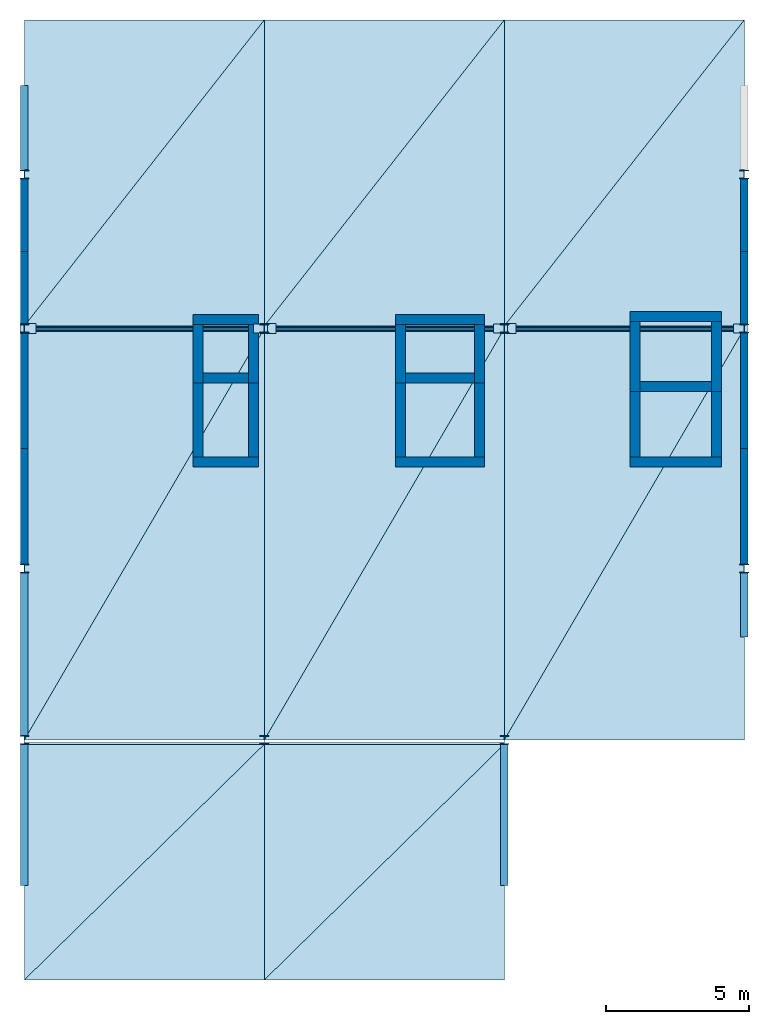
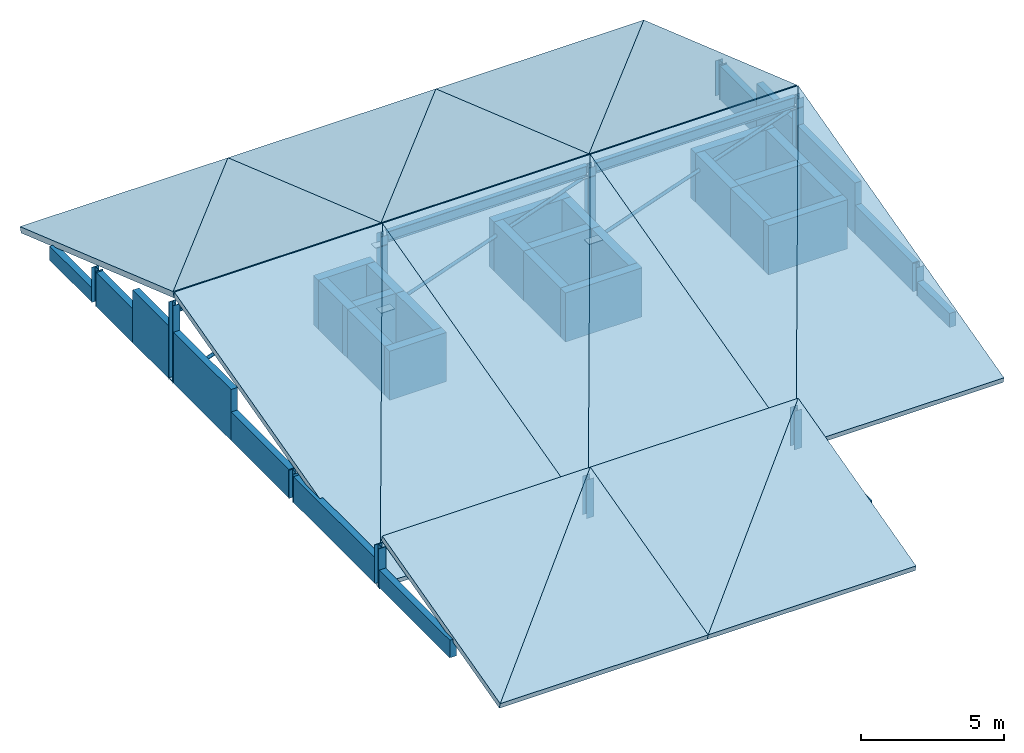
# One storey, part 1 of 2: 34 walls, 16 slabs, 11 columns, 6 plates, 3 beams, 3 members.
"""IFC4 building model written with IfcOpenShell, lengths in metres."""

from ifc_helpers import new_model, si_unit, direction, frame, frame_2d, origin, origin_2d, place, context, subcontext, project, spatial, polyline, rectangle, hollow_circle, i_section, outline, extrude, material, layer, layer_set, material_profile, profile_set, type_object, element, save


model = new_model("IFC4")

# Units and contexts
model_context = context("Model", 3, precision=1e-05, world=origin(), true_north=direction((0.0, 1.0)))
body_context = subcontext(model_context, "Body", "Model", "MODEL_VIEW")
ifc_project = project(units=[si_unit("LENGTHUNIT", "METRE"), si_unit("AREAUNIT", "SQUARE_METRE"), si_unit("VOLUMEUNIT", "CUBIC_METRE"), si_unit("PLANEANGLEUNIT", "RADIAN"), si_unit("MASSUNIT", "GRAM", prefix="KILO")], contexts=[model_context])

# Site, building, storey
site_placement = place(None, origin())
site = spatial("IfcSite", under=ifc_project, at=site_placement, CompositionType="ELEMENT")
building_placement = place(site_placement, origin())
building = spatial("IfcBuilding", under=site, at=building_placement, Name="Krzemoval Escarpment Law Courts", CompositionType="ELEMENT")
storey_placement = place(building_placement, frame((0.0, 0.0, 45.89990234375)))
storey = spatial("IfcBuildingStorey", under=building, at=storey_placement, Name="RF", CompositionType="ELEMENT", Elevation=45.89990234375)

# Columns
ifc_material_1 = material(Name="Steel S355", Category="steel")
ifc_material_profile_1 = material_profile(ifc_material_1, i_section(OverallWidth=0.300048828125, OverallDepth=0.300048828125, WebThickness=0.010986328125, FlangeThickness=0.01904296875, at=origin_2d()), Name="HEB 300")
ifc_profile_set_1 = profile_set([ifc_material_profile_1], Name="Steel S355")
column_type = type_object("IfcColumnType", Name="COL-S355-HEB300", PredefinedType="COLUMN", material=ifc_profile_set_1)
for number, where, z_axis, x_axis, name in (
    (1, (126.0, 93.60009765625, 0.0), (0.0, 0.0, 1.0), (1.0, 0.0, 0.0), "Lantern Mullion Column CRN-COL-1260-936"),
    (2, (134.39990234375, 93.60009765625, 0.0), (0.0, 0.0, 1.0), (1.0, 0.0, 0.0), "Lantern Mullion Column CRN-COL-1344-936"),
    (3, (142.800048828125, 93.60009765625, 0.0), (0.0, 0.0, 1.0), (1.0, 0.0, 0.0), "Lantern Mullion Column CRN-COL-1428-936"),
):
    element("IfcColumn", number, at=place(storey_placement, frame(where, z_axis=z_axis, x_axis=x_axis)), inside=storey, type_object=column_type, Name=name, PredefinedType="COLUMN", context=body_context, shape_type="SweptSolid", body=[
        extrude(i_section(OverallWidth=0.300048828125, OverallDepth=0.300048828125, WebThickness=0.010986328125, FlangeThickness=0.01904296875, at=origin_2d()), origin(), (0.0, 0.0, 1.0), 1.650146484375),
    ])
for number, where, z_axis, x_axis, name in (
    (4, (126.0, 99.60009765625, 0.0), (0.0, 0.0, 1.0), (1.0, 0.0, 0.0), "Lantern Mullion Column CRN-COL-1260-996"),
    (5, (151.199951171875, 99.60009765625, 0.0), (0.0, 0.0, 1.0), (1.0, 0.0, 0.0), "Lantern Mullion Column CRN-COL-1512-996"),
):
    element("IfcColumn", number, at=place(storey_placement, frame(where, z_axis=z_axis, x_axis=x_axis)), inside=storey, type_object=column_type, Name=name, PredefinedType="COLUMN", context=body_context, shape_type="SweptSolid", body=[
        extrude(i_section(OverallWidth=0.300048828125, OverallDepth=0.300048828125, WebThickness=0.010986328125, FlangeThickness=0.01904296875, at=origin_2d()), origin(), (0.0, 0.0, 1.0), 1.2001953125),
    ])
for number, where, z_axis, x_axis, name in (
    (6, (126.0, 108.0, 0.0), (0.0, 0.0, 1.0), (1.0, 0.0, 0.0), "Lantern Mullion Column CRN-COL-1260-1080"),
    (7, (134.39990234375, 108.0, 0.0), (0.0, 0.0, 1.0), (1.0, 0.0, 0.0), "Lantern Mullion Column CRN-COL-1344-1080"),
    (8, (142.800048828125, 108.0, 0.0), (0.0, 0.0, 1.0), (1.0, 0.0, 0.0), "Lantern Mullion Column CRN-COL-1428-1080"),
    (9, (151.199951171875, 108.0, 0.0), (0.0, 0.0, 1.0), (1.0, 0.0, 0.0), "Lantern Mullion Column CRN-COL-1512-1080"),
):
    element("IfcColumn", number, at=place(storey_placement, frame(where, z_axis=z_axis, x_axis=x_axis)), inside=storey, type_object=column_type, Name=name, PredefinedType="COLUMN", context=body_context, shape_type="SweptSolid", body=[
        extrude(i_section(OverallWidth=0.300048828125, OverallDepth=0.300048828125, WebThickness=0.010986328125, FlangeThickness=0.01904296875, at=origin_2d()), origin(), (0.0, 0.0, 1.0), 3.300048828125),
    ])
for number, where, z_axis, x_axis, name in (
    (10, (126.0, 113.39990234375, 0.0), (0.0, 0.0, 1.0), (1.0, 0.0, 0.0), "Lantern Mullion Column CRN-COL-1260-1134"),
    (11, (151.199951171875, 113.39990234375, 0.0), (0.0, 0.0, 1.0), (1.0, 0.0, 0.0), "Lantern Mullion Column CRN-COL-1512-1134"),
):
    element("IfcColumn", number, at=place(storey_placement, frame(where, z_axis=z_axis, x_axis=x_axis)), inside=storey, type_object=column_type, Name=name, PredefinedType="COLUMN", context=body_context, shape_type="SweptSolid", body=[
        extrude(i_section(OverallWidth=0.300048828125, OverallDepth=0.300048828125, WebThickness=0.010986328125, FlangeThickness=0.01904296875, at=origin_2d()), origin(), (0.0, 0.0, 1.0), 1.5),
    ])

# Beams
ifc_material_2 = material(Name="Steel S355", Category="steel")
ifc_material_profile_2 = material_profile(ifc_material_2, i_section(OverallWidth=0.18994140625, OverallDepth=0.449951171875, WebThickness=0.009521484375, FlangeThickness=0.0146484375, at=origin_2d()), Name="IPE 450")
ifc_profile_set_2 = profile_set([ifc_material_profile_2], Name="Steel S355")
beam_type = type_object("IfcBeamType", Name="BM-S355-IPE450", PredefinedType="BEAM", material=ifc_profile_set_2)
beam_1_placement = place(storey_placement, frame((126.14990234375, 108.0, 3.150146484375), z_axis=(1.0, 0.0, 0.0), x_axis=(0.0, 1.0, 0.0)))
element("IfcBeam", 12, at=beam_1_placement, inside=storey, type_object=beam_type, Name="Crown Ridge Beam RBRF-01", PredefinedType="BEAM", context=body_context, shape_type="SweptSolid", body=[
    extrude(i_section(OverallWidth=0.18994140625, OverallDepth=0.449951171875, WebThickness=0.009521484375, FlangeThickness=0.0146484375, at=origin_2d()), origin(), (0.0, 0.0, 1.0), 8.10009765625),
])
beam_2_placement = place(storey_placement, frame((134.550048828125, 108.0, 3.150146484375), z_axis=(1.0, 0.0, 0.0), x_axis=(0.0, 1.0, 0.0)))
element("IfcBeam", 13, at=beam_2_placement, inside=storey, type_object=beam_type, Name="Crown Ridge Beam RBRF-02", PredefinedType="BEAM", context=body_context, shape_type="SweptSolid", body=[
    extrude(i_section(OverallWidth=0.18994140625, OverallDepth=0.449951171875, WebThickness=0.009521484375, FlangeThickness=0.0146484375, at=origin_2d()), origin(), (0.0, 0.0, 1.0), 8.099853515625),
])
beam_3_placement = place(storey_placement, frame((142.949951171875, 108.0, 3.150146484375), z_axis=(1.0, 0.0, 0.0), x_axis=(0.0, 1.0, 0.0)))
element("IfcBeam", 14, at=beam_3_placement, inside=storey, type_object=beam_type, Name="Crown Ridge Beam RBRF-03", PredefinedType="BEAM", context=body_context, shape_type="SweptSolid", body=[
    extrude(i_section(OverallWidth=0.18994140625, OverallDepth=0.449951171875, WebThickness=0.009521484375, FlangeThickness=0.0146484375, at=origin_2d()), origin(), (0.0, 0.0, 1.0), 8.10009765625),
])

# Members
ifc_material_3 = material(Name="Steel S355", Category="steel")
ifc_material_profile_3 = material_profile(ifc_material_3, hollow_circle(Radius=0.06982421875, WallThickness=0.008056640625, at=origin_2d()), Name="CHS 139.7x8")
ifc_profile_set_3 = profile_set([ifc_material_profile_3], Name="Steel S355")
member_type = type_object("IfcMemberType", Name="MBR-STR-CHS140", PredefinedType="STRUT", material=ifc_profile_set_3)
member_1_placement = place(storey_placement, frame((126.1298828125, 108.0, 0.050048828125), z_axis=(0.943820396984, 0.0, 0.330458860128), x_axis=(0.0, 1.0, 0.0)))
element("IfcMember", 15, at=member_1_placement, inside=storey, type_object=member_type, Name="Crown Diagonal Brace BR-0258", PredefinedType="STRUT", context=body_context, shape_type="SweptSolid", body=[
    extrude(hollow_circle(Radius=0.06982421875, WallThickness=0.008056640625, at=origin_2d()), origin(), (0.0, 0.0, 1.0), 8.624755859375),
])
member_2_placement = place(storey_placement, frame((134.530029296875, 108.0, 0.050048828125), z_axis=(0.943817305622, 0.0, 0.330467689206), x_axis=(0.0, 1.0, 0.0)))
element("IfcMember", 16, at=member_2_placement, inside=storey, type_object=member_type, Name="Crown Diagonal Brace BR-0259", PredefinedType="STRUT", context=body_context, shape_type="SweptSolid", body=[
    extrude(hollow_circle(Radius=0.06982421875, WallThickness=0.008056640625, at=origin_2d()), origin(), (0.0, 0.0, 1.0), 8.62451171875),
])
member_3_placement = place(storey_placement, frame((142.929931640625, 108.0, 0.050048828125), z_axis=(0.943820396984, 0.0, 0.330458860128), x_axis=(0.0, 1.0, 0.0)))
element("IfcMember", 17, at=member_3_placement, inside=storey, type_object=member_type, Name="Crown Diagonal Brace BR-0260", PredefinedType="STRUT", context=body_context, shape_type="SweptSolid", body=[
    extrude(hollow_circle(Radius=0.06982421875, WallThickness=0.008056640625, at=origin_2d()), origin(), (0.0, 0.0, 1.0), 8.624755859375),
])

# Plates
ifc_material_4 = material(Name="Steel S355", Category="steel")
ifc_layer_1 = layer(ifc_material_4, 0.02001953125)
ifc_layer_set_1 = layer_set([ifc_layer_1], Name="Steel S355")
plate_type_1 = type_object("IfcPlateType", Name="PLT-GUS-20", PredefinedType="USERDEFINED", material=ifc_layer_set_1)
for number, where, z_axis, x_axis, name in (
    (18, (134.27001953125, 108.0, 2.89013671875), (0.0, 0.0, 1.0), (1.0, 0.0, 0.0), "Gusset and End-Cap Plate ECP-0289"),
    (19, (142.669921875, 108.0, 2.89013671875), (0.0, 0.0, 1.0), (1.0, 0.0, 0.0), "Gusset and End-Cap Plate ECP-0291"),
    (20, (151.070068359375, 108.0, 2.89013671875), (0.0, 0.0, 1.0), (1.0, 0.0, 0.0), "Gusset and End-Cap Plate ECP-0293"),
):
    element("IfcPlate", number, at=place(storey_placement, frame(where, z_axis=z_axis, x_axis=x_axis)), inside=storey, type_object=plate_type_1, Name=name, ObjectType="GUSSET_PLATE", PredefinedType="USERDEFINED", context=body_context, shape_type="SweptSolid", body=[
        extrude(rectangle(XDim=0.47998046875, YDim=0.320068359375, at=origin_2d()), origin(), (0.0, 0.0, 1.0), 0.02001953125),
    ])
ifc_material_5 = material(Name="Steel S355", Category="steel")
ifc_layer_2 = layer(ifc_material_5, 0.030029296875)
ifc_layer_set_2 = layer_set([ifc_layer_2], Name="Steel S355")
plate_type_2 = type_object("IfcPlateType", Name="PLT-GUS-30", PredefinedType="USERDEFINED", material=ifc_layer_set_2)
for number, where, z_axis, x_axis, name in (
    (21, (126.1298828125, 108.0, 0.03515625), (0.0, 0.0, 1.0), (1.0, 0.0, 0.0), "Gusset and End-Cap Plate ECP-0288"),
    (22, (134.530029296875, 108.0, 0.03515625), (0.0, 0.0, 1.0), (1.0, 0.0, 0.0), "Gusset and End-Cap Plate ECP-0290"),
    (23, (142.929931640625, 108.0, 0.03515625), (0.0, 0.0, 1.0), (1.0, 0.0, 0.0), "Gusset and End-Cap Plate ECP-0292"),
):
    element("IfcPlate", number, at=place(storey_placement, frame(where, z_axis=z_axis, x_axis=x_axis)), inside=storey, type_object=plate_type_2, Name=name, ObjectType="GUSSET_PLATE", PredefinedType="USERDEFINED", context=body_context, shape_type="SweptSolid", body=[
        extrude(rectangle(XDim=0.56005859375, YDim=0.360107421875, at=origin_2d()), origin(), (0.0, 0.0, 1.0), 0.030029296875),
    ])

# Slabs
ifc_material_6 = material(Name="Concrete C40/50", Category="concrete")
ifc_layer_3 = layer(ifc_material_6, 0.239990234375)
ifc_layer_set_3 = layer_set([ifc_layer_3], Name="Concrete C40/50")
slab_type = type_object("IfcSlabType", Name="SL-ROOF-CRN240", PredefinedType="ROOF", material=ifc_layer_set_3)
slab_1_placement = place(storey_placement, frame((126.0, 93.60009765625, 0.0), z_axis=(0.0, -0.252013119938, 0.967723817718), x_axis=(1.0, 0.0, 0.0)))
element("IfcSlab", 24, at=slab_1_placement, inside=storey, type_object=slab_type, Name="Folded-Plate Roof Facet FPR-V5-RF01SA", PredefinedType="ROOF", context=body_context, shape_type="SweptSolid", body=[
    extrude(outline(polyline([(0.0, 0.0), (8.39990234375, 0.0), (8.39990234375, 14.880177670630708), (0.0, 0.0)])), origin(), (0.0, 0.0, -1.0), 0.239990234375),
])
slab_2_placement = place(storey_placement, frame((126.0, 93.60009765625, 0.0), z_axis=(0.0, -0.252013119938, 0.967723817718), x_axis=(0.491585582833, 0.842722224224, 0.219460400869)))
element("IfcSlab", 25, at=slab_2_placement, inside=storey, type_object=slab_type, Name="Folded-Plate Roof Facet FPR-V5-RF01SB", PredefinedType="ROOF", context=body_context, shape_type="SweptSolid", body=[
    extrude(outline(polyline([(0.0, 0.0), (17.087365124385723, -3.3306690738754696e-16), (12.9580942349938, 7.314880812874342), (0.0, 0.0)])), origin(), (0.0, 0.0, -1.0), 0.239990234375),
])
slab_3_placement = place(storey_placement, frame((126.0, 108.090087890625, 3.718994140625), z_axis=(0.0, 0.328031973915, 0.944666620607), x_axis=(1.0, 0.0, 0.0)))
element("IfcSlab", 26, at=slab_3_placement, inside=storey, type_object=slab_type, Name="Folded-Plate Roof Facet FPR-V5-RF01NA", PredefinedType="ROOF", context=body_context, shape_type="SweptSolid", body=[
    extrude(outline(polyline([(0.0, 0.0), (8.39990234375, 0.0), (8.39990234375, 11.33729159459079), (0.0, 0.0)])), origin(), (0.0, 0.0, -1.0), 0.239990234375),
])
slab_4_placement = place(storey_placement, frame((126.0, 108.090087890625, 3.718994140625), z_axis=(0.0, 0.328031973915, 0.944666620607), x_axis=(0.59531488731, 0.759032537246, -0.263571228227)))
element("IfcSlab", 27, at=slab_4_placement, inside=storey, type_object=slab_type, Name="Folded-Plate Roof Facet FPR-V5-RF01NB", PredefinedType="ROOF", context=body_context, shape_type="SweptSolid", body=[
    extrude(outline(polyline([(0.0, 0.0), (14.110015594793499, 3.3306690738754696e-16), (9.10942867761303, 6.749258468028937), (0.0, 0.0)])), origin(), (0.0, 0.0, -1.0), 0.239990234375),
])
slab_5_placement = place(storey_placement, frame((134.39990234375, 93.60009765625, 0.0), z_axis=(0.0, -0.252013119938, 0.967723817718), x_axis=(1.0, 0.0, 0.0)))
element("IfcSlab", 28, at=slab_5_placement, inside=storey, type_object=slab_type, Name="Folded-Plate Roof Facet FPR-V5-RF02SA", PredefinedType="ROOF", context=body_context, shape_type="SweptSolid", body=[
    extrude(outline(polyline([(0.0, 0.0), (8.400146484375, 0.0), (8.400146484375, 14.88017767063071), (0.0, 0.0)])), origin(), (0.0, 0.0, -1.0), 0.239990234375),
])
slab_6_placement = place(storey_placement, frame((134.39990234375, 93.60009765625, 0.0), z_axis=(0.0, -0.252013119938, 0.967723817718), x_axis=(0.49159641777, 0.842716305198, 0.219458859446)))
element("IfcSlab", 29, at=slab_6_placement, inside=storey, type_object=slab_type, Name="Folded-Plate Roof Facet FPR-V5-RF02SB", PredefinedType="ROOF", context=body_context, shape_type="SweptSolid", body=[
    extrude(outline(polyline([(0.0, 0.0), (17.087485141719785, -5.551115123125783e-17), (12.958003221254112, 7.31504203866969), (0.0, 0.0)])), origin(), (0.0, 0.0, -1.0), 0.239990234375),
])
slab_7_placement = place(storey_placement, frame((134.39990234375, 108.090087890625, 3.718994140625), z_axis=(0.0, 0.328031973915, 0.944666620607), x_axis=(1.0, 0.0, 0.0)))
element("IfcSlab", 30, at=slab_7_placement, inside=storey, type_object=slab_type, Name="Folded-Plate Roof Facet FPR-V5-RF02NA", PredefinedType="ROOF", context=body_context, shape_type="SweptSolid", body=[
    extrude(outline(polyline([(0.0, 0.0), (8.400146484375, 0.0), (8.400146484375, 11.33729159459079), (0.0, 0.0)])), origin(), (0.0, 0.0, -1.0), 0.239990234375),
])
slab_8_placement = place(storey_placement, frame((134.39990234375, 108.090087890625, 3.718994140625), z_axis=(0.0, 0.328031973915, 0.944666620607), x_axis=(0.595326057729, 0.759024718821, -0.263568513308)))
element("IfcSlab", 31, at=slab_8_placement, inside=storey, type_object=slab_type, Name="Folded-Plate Roof Facet FPR-V5-RF02NB", PredefinedType="ROOF", context=body_context, shape_type="SweptSolid", body=[
    extrude(outline(polyline([(0.0, 0.0), (14.110160936705741, -1.5543122344752192e-15), (9.10933484581413, 6.7493851103352664), (0.0, 0.0)])), origin(), (0.0, 0.0, -1.0), 0.239990234375),
])
slab_9_placement = place(storey_placement, frame((142.800048828125, 93.60009765625, 0.0), z_axis=(0.0, -0.252013119938, 0.967723817718), x_axis=(1.0, 0.0, 0.0)))
element("IfcSlab", 32, at=slab_9_placement, inside=storey, type_object=slab_type, Name="Folded-Plate Roof Facet FPR-V5-RF03SA", PredefinedType="ROOF", context=body_context, shape_type="SweptSolid", body=[
    extrude(outline(polyline([(0.0, 0.0), (8.39990234375, 0.0), (8.39990234375, 14.880177670630708), (0.0, 0.0)])), origin(), (0.0, 0.0, -1.0), 0.239990234375),
])
slab_10_placement = place(storey_placement, frame((142.800048828125, 93.60009765625, 0.0), z_axis=(0.0, -0.252013119938, 0.967723817718), x_axis=(0.491585582833, 0.842722224224, 0.219460400869)))
element("IfcSlab", 33, at=slab_10_placement, inside=storey, type_object=slab_type, Name="Folded-Plate Roof Facet FPR-V5-RF03SB", PredefinedType="ROOF", context=body_context, shape_type="SweptSolid", body=[
    extrude(outline(polyline([(0.0, 0.0), (17.087365124385723, -3.3306690738754696e-16), (12.9580942349938, 7.314880812874342), (0.0, 0.0)])), origin(), (0.0, 0.0, -1.0), 0.239990234375),
])
slab_11_placement = place(storey_placement, frame((142.800048828125, 108.090087890625, 3.718994140625), z_axis=(0.0, 0.328031973915, 0.944666620607), x_axis=(1.0, 0.0, 0.0)))
element("IfcSlab", 34, at=slab_11_placement, inside=storey, type_object=slab_type, Name="Folded-Plate Roof Facet FPR-V5-RF03NA", PredefinedType="ROOF", context=body_context, shape_type="SweptSolid", body=[
    extrude(outline(polyline([(0.0, 0.0), (8.39990234375, 0.0), (8.39990234375, 11.33729159459079), (0.0, 0.0)])), origin(), (0.0, 0.0, -1.0), 0.239990234375),
])
slab_12_placement = place(storey_placement, frame((142.800048828125, 108.090087890625, 3.718994140625), z_axis=(0.0, 0.328031973915, 0.944666620607), x_axis=(0.59531488731, 0.759032537246, -0.263571228227)))
element("IfcSlab", 35, at=slab_12_placement, inside=storey, type_object=slab_type, Name="Folded-Plate Roof Facet FPR-V5-RF03NB", PredefinedType="ROOF", context=body_context, shape_type="SweptSolid", body=[
    extrude(outline(polyline([(0.0, 0.0), (14.110015594793499, 3.3306690738754696e-16), (9.10942867761303, 6.749258468028937), (0.0, 0.0)])), origin(), (0.0, 0.0, -1.0), 0.239990234375),
])
slab_13_placement = place(storey_placement, frame((126.0, 85.199951171875, 0.0), z_axis=(0.0, -0.253298156843, 0.967388259046), x_axis=(1.0, 0.0, 0.0)))
element("IfcSlab", 36, at=slab_13_placement, inside=storey, type_object=slab_type, Name="Folded-Plate Roof Facet FPR-V5-RFSW01A", PredefinedType="ROOF", context=body_context, shape_type="SweptSolid", body=[
    extrude(outline(polyline([(0.0, 0.0), (8.39990234375, 0.0), (8.39990234375, 8.528116733746911), (0.0, 0.0)])), origin(), (0.0, 0.0, -1.0), 0.239990234375),
])
slab_14_placement = place(storey_placement, frame((126.0, 85.199951171875, 0.0), z_axis=(0.0, -0.253298156843, 0.967388259046), x_axis=(0.701730960928, 0.689208063468, 0.180460255255)))
element("IfcSlab", 37, at=slab_14_placement, inside=storey, type_object=slab_type, Name="Folded-Plate Roof Facet FPR-V5-RFSW01B", PredefinedType="ROOF", context=body_context, shape_type="SweptSolid", body=[
    extrude(outline(polyline([(0.0, 0.0), (11.970260415252078, -1.4988010832439613e-15), (6.075788871873303, 5.984443550476067), (0.0, 0.0)])), origin(), (0.0, 0.0, -1.0), 0.239990234375),
])
slab_15_placement = place(storey_placement, frame((134.39990234375, 85.199951171875, 0.0), z_axis=(0.0, -0.253298156843, 0.967388259046), x_axis=(1.0, 0.0, 0.0)))
element("IfcSlab", 38, at=slab_15_placement, inside=storey, type_object=slab_type, Name="Folded-Plate Roof Facet FPR-V5-RFSW02A", PredefinedType="ROOF", context=body_context, shape_type="SweptSolid", body=[
    extrude(outline(polyline([(0.0, 0.0), (8.400146484375, 0.0), (8.400146484375, 8.528116733746911), (0.0, 0.0)])), origin(), (0.0, 0.0, -1.0), 0.239990234375),
])
slab_16_placement = place(storey_placement, frame((134.39990234375, 85.199951171875, 0.0), z_axis=(0.0, -0.253298156843, 0.967388259046), x_axis=(0.701741312974, 0.689198199437, 0.180457672485)))
element("IfcSlab", 39, at=slab_16_placement, inside=storey, type_object=slab_type, Name="Folded-Plate Roof Facet FPR-V5-RFSW02B", PredefinedType="ROOF", context=body_context, shape_type="SweptSolid", body=[
    extrude(outline(polyline([(0.0, 0.0), (11.970431737551145, 0.0), (6.075701914431749, 5.984531833935253), (0.0, 0.0)])), origin(), (0.0, 0.0, -1.0), 0.239990234375),
])

# Walls
ifc_material_7 = material(Name="Precast concrete C40/50", Category="concrete")
ifc_layer_4 = layer(ifc_material_7, 0.260009765625)
ifc_layer_set_4 = layer_set([ifc_layer_4], Name="Precast concrete C40/50")
wall_type_1 = type_object("IfcWallType", Name="WL-EXT-260", PredefinedType="SOLIDWALL", material=ifc_layer_set_4)
wall_1_placement = place(storey_placement, frame((126.0, 93.760009765625, 0.0), z_axis=(0.0, 0.0, 1.0), x_axis=(0.0, 1.0, 0.0)))
element("IfcWall", 40, at=wall_1_placement, inside=storey, type_object=wall_type_1, Name="Lantern Gable Wall EW-RF-G01", PredefinedType="SOLIDWALL", context=body_context, shape_type="SweptSolid", body=[
    extrude(rectangle(XDim=5.679931640625, YDim=0.260009765625, at=frame_2d((2.83984375, 0.0))), origin(), (0.0, 0.0, 1.0), 1.10009765625),
])
wall_2_placement = place(storey_placement, frame((126.0, 99.760009765625, 0.0), z_axis=(0.0, 0.0, 1.0), x_axis=(0.0, 1.0, 0.0)))
element("IfcWall", 41, at=wall_2_placement, inside=storey, type_object=wall_type_1, Name="Lantern Gable Wall EW-RF-G02A", PredefinedType="SOLIDWALL", context=body_context, shape_type="SweptSolid", body=[
    extrude(rectangle(XDim=4.0400390625, YDim=0.260009765625, at=frame_2d((2.02001953125, 0.0))), origin(), (0.0, 0.0, 1.0), 1.22021484375),
])
wall_3_placement = place(storey_placement, frame((126.0, 103.800048828125, 0.0), z_axis=(0.0, 0.0, 1.0), x_axis=(0.0, 1.0, 0.0)))
element("IfcWall", 42, at=wall_3_placement, inside=storey, type_object=wall_type_1, Name="Lantern Gable Wall EW-RF-G02B", PredefinedType="SOLIDWALL", context=body_context, shape_type="SweptSolid", body=[
    extrude(rectangle(XDim=4.0400390625, YDim=0.260009765625, at=frame_2d((2.02001953125, 0.0))), origin(), (0.0, 0.0, 1.0), 2.18017578125),
])
wall_4_placement = place(storey_placement, frame((126.0, 108.159912109375, 0.0), z_axis=(0.0, 0.0, 1.0), x_axis=(0.0, 1.0, 0.0)))
element("IfcWall", 43, at=wall_4_placement, inside=storey, type_object=wall_type_1, Name="Lantern Gable Wall EW-RF-G03A", PredefinedType="SOLIDWALL", context=body_context, shape_type="SweptSolid", body=[
    extrude(rectangle(XDim=2.5400390625, YDim=0.260009765625, at=frame_2d((1.27001953125, 0.0))), origin(), (0.0, 0.0, 1.0), 2.25),
])
wall_5_placement = place(storey_placement, frame((126.0, 110.699951171875, 0.0), z_axis=(0.0, 0.0, 1.0), x_axis=(0.0, 1.0, 0.0)))
element("IfcWall", 44, at=wall_5_placement, inside=storey, type_object=wall_type_1, Name="Lantern Gable Wall EW-RF-G03B", PredefinedType="SOLIDWALL", context=body_context, shape_type="SweptSolid", body=[
    extrude(rectangle(XDim=2.5400390625, YDim=0.260009765625, at=frame_2d((1.27001953125, 0.0))), origin(), (0.0, 0.0, 1.0), 1.4501953125),
])
wall_6_placement = place(storey_placement, frame((126.0, 113.56005859375, 0.0), z_axis=(0.0, 0.0, 1.0), x_axis=(0.0, 1.0, 0.0)))
element("IfcWall", 45, at=wall_6_placement, inside=storey, type_object=wall_type_1, Name="Lantern Gable Wall EW-RF-G04", PredefinedType="SOLIDWALL", context=body_context, shape_type="SweptSolid", body=[
    extrude(rectangle(XDim=2.93994140625, YDim=0.260009765625, at=frame_2d((1.469970703125, 0.0))), origin(), (0.0, 0.0, 1.0), 0.60009765625),
])
wall_7_placement = place(storey_placement, frame((151.199951171875, 97.199951171875, 0.0), z_axis=(0.0, 0.0, 1.0), x_axis=(0.0, 1.0, 0.0)))
element("IfcWall", 46, at=wall_7_placement, inside=storey, type_object=wall_type_1, Name="Lantern Gable Wall EW-RF-G05", PredefinedType="SOLIDWALL", context=body_context, shape_type="SweptSolid", body=[
    extrude(rectangle(XDim=2.239990234375, YDim=0.260009765625, at=frame_2d((1.1201171875, 0.0))), origin(), (0.0, 0.0, 1.0), 0.60009765625),
])
wall_8_placement = place(storey_placement, frame((151.199951171875, 107.840087890625, 0.0), z_axis=(0.0, 0.0, 1.0), x_axis=(0.0, -1.0, 0.0)))
element("IfcWall", 47, at=wall_8_placement, inside=storey, type_object=wall_type_1, Name="Lantern Gable Wall EW-RF-G06A", PredefinedType="SOLIDWALL", context=body_context, shape_type="SweptSolid", body=[
    extrude(rectangle(XDim=4.0400390625, YDim=0.260009765625, at=frame_2d((2.02001953125, 0.0))), origin(), (0.0, 0.0, 1.0), 2.18017578125),
])
wall_9_placement = place(storey_placement, frame((151.199951171875, 103.800048828125, 0.0), z_axis=(0.0, 0.0, 1.0), x_axis=(0.0, -1.0, 0.0)))
element("IfcWall", 48, at=wall_9_placement, inside=storey, type_object=wall_type_1, Name="Lantern Gable Wall EW-RF-G06B", PredefinedType="SOLIDWALL", context=body_context, shape_type="SweptSolid", body=[
    extrude(rectangle(XDim=4.0400390625, YDim=0.260009765625, at=frame_2d((2.02001953125, 0.0))), origin(), (0.0, 0.0, 1.0), 1.22021484375),
])
wall_10_placement = place(storey_placement, frame((151.199951171875, 110.699951171875, 0.0), z_axis=(0.0, 0.0, 1.0), x_axis=(0.0, -1.0, 0.0)))
element("IfcWall", 49, at=wall_10_placement, inside=storey, type_object=wall_type_1, Name="Lantern Gable Wall EW-RF-G07A", PredefinedType="SOLIDWALL", context=body_context, shape_type="SweptSolid", body=[
    extrude(rectangle(XDim=2.5400390625, YDim=0.260009765625, at=frame_2d((1.27001953125, 0.0))), origin(), (0.0, 0.0, 1.0), 2.25),
])
wall_11_placement = place(storey_placement, frame((151.199951171875, 113.239990234375, 0.0), z_axis=(0.0, 0.0, 1.0), x_axis=(0.0, -1.0, 0.0)))
element("IfcWall", 50, at=wall_11_placement, inside=storey, type_object=wall_type_1, Name="Lantern Gable Wall EW-RF-G07B", PredefinedType="SOLIDWALL", context=body_context, shape_type="SweptSolid", body=[
    extrude(rectangle(XDim=2.5400390625, YDim=0.260009765625, at=frame_2d((1.27001953125, 0.0))), origin(), (0.0, 0.0, 1.0), 1.4501953125),
])
for number, where, z_axis, x_axis, name in (
    (51, (126.0, 88.5, 0.0), (0.0, 0.0, 1.0), (0.0, 1.0, 0.0), "Lantern Gable Wall EW-RF-G09"),
    (52, (142.800048828125, 93.43994140625, 0.0), (0.0, 0.0, 1.0), (0.0, -1.0, 0.0), "Lantern Gable Wall EW-RF-G10"),
):
    element("IfcWall", number, at=place(storey_placement, frame(where, z_axis=z_axis, x_axis=x_axis)), inside=storey, type_object=wall_type_1, Name=name, PredefinedType="SOLIDWALL", context=body_context, shape_type="SweptSolid", body=[
        extrude(rectangle(XDim=4.93994140625, YDim=0.260009765625, at=frame_2d((2.469970703125, 0.0))), origin(), (0.0, 0.0, 1.0), 0.75),
    ])
ifc_material_8 = material(Name="Concrete C40/50", Category="concrete")
ifc_layer_5 = layer(ifc_material_8, 0.35009765625)
ifc_layer_set_5 = layer_set([ifc_layer_5], Name="Concrete C40/50")
wall_type_2 = type_object("IfcWallType", Name="WL-SHW-350", PredefinedType="SHEAR", material=ifc_layer_set_5)
for number, where, z_axis, x_axis, name in (
    (53, (131.89990234375, 103.324951171875, 0.0), (0.0, 0.0, 1.0), (1.0, 0.0, 0.0), "Lift Overrun Wall SW-RF-0144"),
    (54, (131.89990234375, 106.27490234375, 0.0), (0.0, 0.0, 1.0), (1.0, 0.0, 0.0), "Lift Overrun Wall SW-RF-0145"),
):
    element("IfcWall", number, at=place(storey_placement, frame(where, z_axis=z_axis, x_axis=x_axis)), inside=storey, type_object=wall_type_2, Name=name, PredefinedType="SHEAR", context=body_context, shape_type="SweptSolid", body=[
        extrude(rectangle(XDim=2.300048828125, YDim=0.35009765625, at=frame_2d((1.14990234375, 0.0))), origin(), (0.0, 0.0, 1.0), 2.10009765625),
    ])
for number, where, z_axis, x_axis, name in (
    (55, (132.074951171875, 103.501953125, 0.0), (0.0, 0.0, 1.0), (0.0, 1.0, 0.0), "Lift Overrun Wall SW-RF-0146"),
    (56, (134.02490234375, 103.501953125, 0.0), (0.0, 0.0, 1.0), (0.0, 1.0, 0.0), "Lift Overrun Wall SW-RF-0147"),
):
    element("IfcWall", number, at=place(storey_placement, frame(where, z_axis=z_axis, x_axis=x_axis)), inside=storey, type_object=wall_type_2, Name=name, PredefinedType="SHEAR", context=body_context, shape_type="SweptSolid", body=[
        extrude(rectangle(XDim=2.595947265625, YDim=0.35009765625, at=frame_2d((1.2978515625, 0.0))), origin(), (0.0, 0.0, 1.0), 2.10009765625),
    ])
wall_12_placement = place(storey_placement, frame((131.89990234375, 108.324951171875, 0.0), z_axis=(0.0, 0.0, 1.0), x_axis=(1.0, 0.0, 0.0)))
element("IfcWall", 57, at=wall_12_placement, inside=storey, type_object=wall_type_2, Name="Lift Overrun Wall SW-RF-0148", PredefinedType="SHEAR", context=body_context, shape_type="SweptSolid", body=[
    extrude(rectangle(XDim=2.300048828125, YDim=0.35009765625, at=frame_2d((1.14990234375, 0.0))), origin(), (0.0, 0.0, 1.0), 2.10009765625),
])
for number, where, z_axis, x_axis, name in (
    (58, (132.074951171875, 106.093017578125, 0.0), (0.0, 0.0, 1.0), (0.0, 1.0, 0.0), "Lift Overrun Wall SW-RF-0149"),
    (59, (134.02490234375, 106.093017578125, 0.0), (0.0, 0.0, 1.0), (0.0, 1.0, 0.0), "Lift Overrun Wall SW-RF-0150"),
):
    element("IfcWall", number, at=place(storey_placement, frame(where, z_axis=z_axis, x_axis=x_axis)), inside=storey, type_object=wall_type_2, Name=name, PredefinedType="SHEAR", context=body_context, shape_type="SweptSolid", body=[
        extrude(rectangle(XDim=2.054931640625, YDim=0.35009765625, at=frame_2d((1.02734375, 0.0))), origin(), (0.0, 0.0, 1.0), 2.10009765625),
    ])
for number, where, z_axis, x_axis, name in (
    (60, (139.0, 103.324951171875, 0.0), (0.0, 0.0, 1.0), (1.0, 0.0, 0.0), "Lift Overrun Wall SW-RF-0294"),
    (61, (139.0, 106.27490234375, 0.0), (0.0, 0.0, 1.0), (1.0, 0.0, 0.0), "Lift Overrun Wall SW-RF-0295"),
):
    element("IfcWall", number, at=place(storey_placement, frame(where, z_axis=z_axis, x_axis=x_axis)), inside=storey, type_object=wall_type_2, Name=name, PredefinedType="SHEAR", context=body_context, shape_type="SweptSolid", body=[
        extrude(rectangle(XDim=3.10009765625, YDim=0.35009765625, at=frame_2d((1.550048828125, 0.0))), origin(), (0.0, 0.0, 1.0), 2.10009765625),
    ])
for number, where, z_axis, x_axis, name in (
    (62, (139.175048828125, 103.501953125, 0.0), (0.0, 0.0, 1.0), (0.0, 1.0, 0.0), "Lift Overrun Wall SW-RF-0296"),
    (63, (141.925048828125, 103.501953125, 0.0), (0.0, 0.0, 1.0), (0.0, 1.0, 0.0), "Lift Overrun Wall SW-RF-0297"),
):
    element("IfcWall", number, at=place(storey_placement, frame(where, z_axis=z_axis, x_axis=x_axis)), inside=storey, type_object=wall_type_2, Name=name, PredefinedType="SHEAR", context=body_context, shape_type="SweptSolid", body=[
        extrude(rectangle(XDim=2.595947265625, YDim=0.35009765625, at=frame_2d((1.2978515625, 0.0))), origin(), (0.0, 0.0, 1.0), 2.10009765625),
    ])
wall_13_placement = place(storey_placement, frame((139.0, 108.324951171875, 0.0), z_axis=(0.0, 0.0, 1.0), x_axis=(1.0, 0.0, 0.0)))
element("IfcWall", 64, at=wall_13_placement, inside=storey, type_object=wall_type_2, Name="Lift Overrun Wall SW-RF-0298", PredefinedType="SHEAR", context=body_context, shape_type="SweptSolid", body=[
    extrude(rectangle(XDim=3.10009765625, YDim=0.35009765625, at=frame_2d((1.550048828125, 0.0))), origin(), (0.0, 0.0, 1.0), 2.10009765625),
])
for number, where, z_axis, x_axis, name in (
    (65, (139.175048828125, 106.093017578125, 0.0), (0.0, 0.0, 1.0), (0.0, 1.0, 0.0), "Lift Overrun Wall SW-RF-0299"),
    (66, (141.925048828125, 106.093017578125, 0.0), (0.0, 0.0, 1.0), (0.0, 1.0, 0.0), "Lift Overrun Wall SW-RF-0300"),
):
    element("IfcWall", number, at=place(storey_placement, frame(where, z_axis=z_axis, x_axis=x_axis)), inside=storey, type_object=wall_type_2, Name=name, PredefinedType="SHEAR", context=body_context, shape_type="SweptSolid", body=[
        extrude(rectangle(XDim=2.054931640625, YDim=0.35009765625, at=frame_2d((1.02734375, 0.0))), origin(), (0.0, 0.0, 1.0), 2.10009765625),
    ])
for number, where, z_axis, x_axis, name in (
    (67, (147.199951171875, 103.324951171875, 0.0), (0.0, 0.0, 1.0), (1.0, 0.0, 0.0), "Lift Overrun Wall SW-RF-0444"),
    (68, (147.199951171875, 105.97509765625, 0.0), (0.0, 0.0, 1.0), (1.0, 0.0, 0.0), "Lift Overrun Wall SW-RF-0445"),
):
    element("IfcWall", number, at=place(storey_placement, frame(where, z_axis=z_axis, x_axis=x_axis)), inside=storey, type_object=wall_type_2, Name=name, PredefinedType="SHEAR", context=body_context, shape_type="SweptSolid", body=[
        extrude(rectangle(XDim=3.199951171875, YDim=0.35009765625, at=frame_2d((1.60009765625, 0.0))), origin(), (0.0, 0.0, 1.0), 2.10009765625),
    ])
for number, where, z_axis, x_axis, name in (
    (69, (147.375, 103.501953125, 0.0), (0.0, 0.0, 1.0), (0.0, 1.0, 0.0), "Lift Overrun Wall SW-RF-0446"),
    (70, (150.22509765625, 103.501953125, 0.0), (0.0, 0.0, 1.0), (0.0, 1.0, 0.0), "Lift Overrun Wall SW-RF-0447"),
):
    element("IfcWall", number, at=place(storey_placement, frame(where, z_axis=z_axis, x_axis=x_axis)), inside=storey, type_object=wall_type_2, Name=name, PredefinedType="SHEAR", context=body_context, shape_type="SweptSolid", body=[
        extrude(rectangle(XDim=2.296142578125, YDim=0.35009765625, at=frame_2d((1.14794921875, 0.0))), origin(), (0.0, 0.0, 1.0), 2.10009765625),
    ])
wall_14_placement = place(storey_placement, frame((147.199951171875, 108.425048828125, 0.0), z_axis=(0.0, 0.0, 1.0), x_axis=(1.0, 0.0, 0.0)))
element("IfcWall", 71, at=wall_14_placement, inside=storey, type_object=wall_type_2, Name="Lift Overrun Wall SW-RF-0448", PredefinedType="SHEAR", context=body_context, shape_type="SweptSolid", body=[
    extrude(rectangle(XDim=3.199951171875, YDim=0.35009765625, at=frame_2d((1.60009765625, 0.0))), origin(), (0.0, 0.0, 1.0), 2.10009765625),
])
for number, where, z_axis, x_axis, name in (
    (72, (147.375, 105.79296875, 0.0), (0.0, 0.0, 1.0), (0.0, 1.0, 0.0), "Lift Overrun Wall SW-RF-0449"),
    (73, (150.22509765625, 105.79296875, 0.0), (0.0, 0.0, 1.0), (0.0, 1.0, 0.0), "Lift Overrun Wall SW-RF-0450"),
):
    element("IfcWall", number, at=place(storey_placement, frame(where, z_axis=z_axis, x_axis=x_axis)), inside=storey, type_object=wall_type_2, Name=name, PredefinedType="SHEAR", context=body_context, shape_type="SweptSolid", body=[
        extrude(rectangle(XDim=2.455078125, YDim=0.35009765625, at=frame_2d((1.2275390625, 0.0))), origin(), (0.0, 0.0, 1.0), 2.10009765625),
    ])

save(model, "model.ifc")
